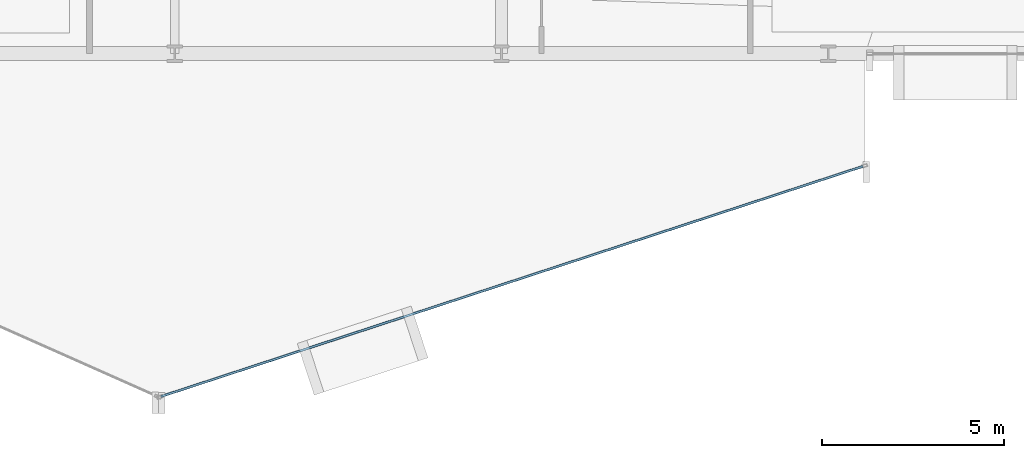
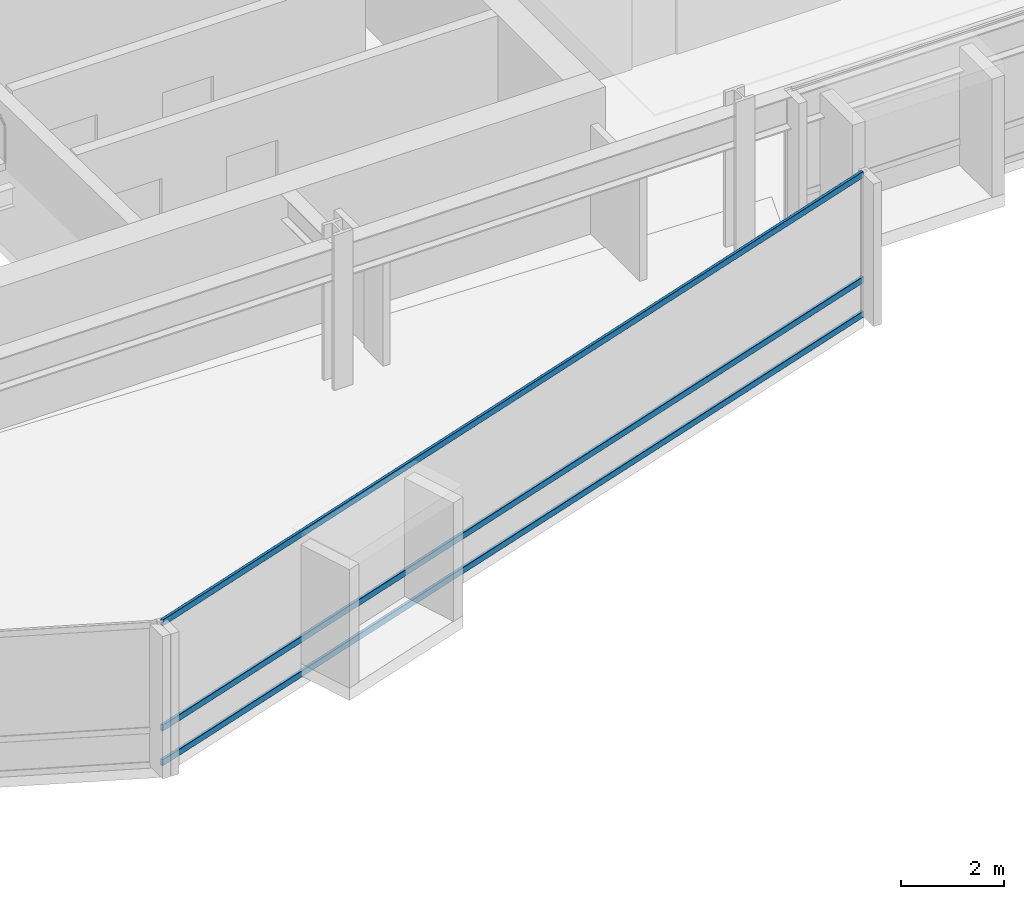
# One storey, part 9 of 34: 3 members, 1 element without a shape of its own.
"""IFC4 building model written with IfcOpenShell, lengths in metres."""

from ifc_helpers import new_model, si_unit, direction, frame, origin, origin_2d, place, context, subcontext, project, spatial, hollow_rectangle, extrude, material, layer, layer_set, material_profile, profile_set, type_object, element, aggregate, save


model = new_model("IFC4")

# Units and contexts
model_context = context("Model", 3, precision=1e-05, world=origin(), true_north=direction((0.0, 1.0)))
body_context = subcontext(model_context, "Body", "Model", "MODEL_VIEW")
ifc_project = project(units=[si_unit("LENGTHUNIT", "METRE"), si_unit("AREAUNIT", "SQUARE_METRE"), si_unit("VOLUMEUNIT", "CUBIC_METRE"), si_unit("PLANEANGLEUNIT", "RADIAN"), si_unit("MASSUNIT", "GRAM", prefix="KILO")], contexts=[model_context])

# Site, building, storey
site_placement = place(None, origin())
site = spatial("IfcSite", under=ifc_project, at=site_placement, CompositionType="ELEMENT")
building_placement = place(site_placement, origin())
building = spatial("IfcBuilding", under=site, at=building_placement, Name="Solvaryn Broadcast Tower", CompositionType="ELEMENT")
storey_placement = place(building_placement, frame((0.0, 0.0, 96.5)))
storey = spatial("IfcBuildingStorey", under=building, at=storey_placement, Name="L23", CompositionType="ELEMENT", Elevation=96.5)

# Curtain wall, members
ifc_material_1 = material(Name="Aluminium and Terracotta Unitised Curtain Wall", Category="masonry")
ifc_layer = layer(ifc_material_1, 0.199951171875)
ifc_layer_set = layer_set([ifc_layer], Name="CW-SYS2-LOWMID")
curtain_wall_type = type_object("IfcCurtainWallType", Name="CW-SYS2-LOWMID", PredefinedType="NOTDEFINED", material=ifc_layer_set)
curtain_wall_placement = place(storey_placement, origin())
curtain_wall = element("IfcCurtainWall", 1, at=curtain_wall_placement, inside=storey, type_object=curtain_wall_type, Name="L23 Curtain Wall DR4", PredefinedType="NOTDEFINED")
ifc_material_2 = material(Name="Anodised Aluminium 6063-T6", Category="aluminium")
ifc_material_profile = material_profile(ifc_material_2, hollow_rectangle(XDim=0.06494140625, YDim=0.14990234375, WallThickness=0.00390625, InnerFilletRadius=0.00390625, OuterFilletRadius=0.008056640625, at=origin_2d()))
ifc_profile_set = profile_set([ifc_material_profile], Name="Anodised Aluminium 6063-T6")
member_type = type_object("IfcMemberType", Name="CW-TRN-150", PredefinedType="USERDEFINED", material=ifc_profile_set)
member_1_placement = place(storey_placement, frame((26.616943359375, -0.4453125, 0.030029296875), z_axis=(0.950216792475, 0.311589549406, 0.0), x_axis=(-0.311589549406, 0.950216792475, 0.0)))
member_1 = element("IfcMember", 2, at=member_1_placement, type_object=member_type, Name="CWS2 transom 1.1", ObjectType="TRANSOM", PredefinedType="USERDEFINED", context=body_context, shape_type="SweptSolid", body=[
    extrude(hollow_rectangle(XDim=0.06494140625, YDim=0.14990234375, WallThickness=0.00390625, InnerFilletRadius=0.00390625, OuterFilletRadius=0.008056640625, at=origin_2d()), origin(), (0.0, 0.0, 1.0), 20.35546875),
])
member_2_placement = place(storey_placement, frame((26.616943359375, -0.4453125, 0.85009765625), z_axis=(0.950216792475, 0.311589549406, 0.0), x_axis=(-0.311589549406, 0.950216792475, 0.0)))
member_2 = element("IfcMember", 3, at=member_2_placement, type_object=member_type, Name="CWS2 transom 1.2", ObjectType="TRANSOM", PredefinedType="USERDEFINED", context=body_context, shape_type="SweptSolid", body=[
    extrude(hollow_rectangle(XDim=0.06494140625, YDim=0.14990234375, WallThickness=0.00390625, InnerFilletRadius=0.00390625, OuterFilletRadius=0.008056640625, at=origin_2d()), origin(), (0.0, 0.0, 1.0), 20.35546875),
])
member_3_placement = place(storey_placement, frame((26.616943359375, -0.4453125, 3.340087890625), z_axis=(0.950216792475, 0.311589549406, 0.0), x_axis=(-0.311589549406, 0.950216792475, 0.0)))
member_3 = element("IfcMember", 4, at=member_3_placement, type_object=member_type, Name="CWS2 transom 1.3", ObjectType="TRANSOM", PredefinedType="USERDEFINED", context=body_context, shape_type="SweptSolid", body=[
    extrude(hollow_rectangle(XDim=0.06494140625, YDim=0.14990234375, WallThickness=0.00390625, InnerFilletRadius=0.00390625, OuterFilletRadius=0.008056640625, at=origin_2d()), origin(), (0.0, 0.0, 1.0), 20.35546875),
])
aggregate(curtain_wall, [member_1, member_2, member_3])

save(model, "model.ifc")
